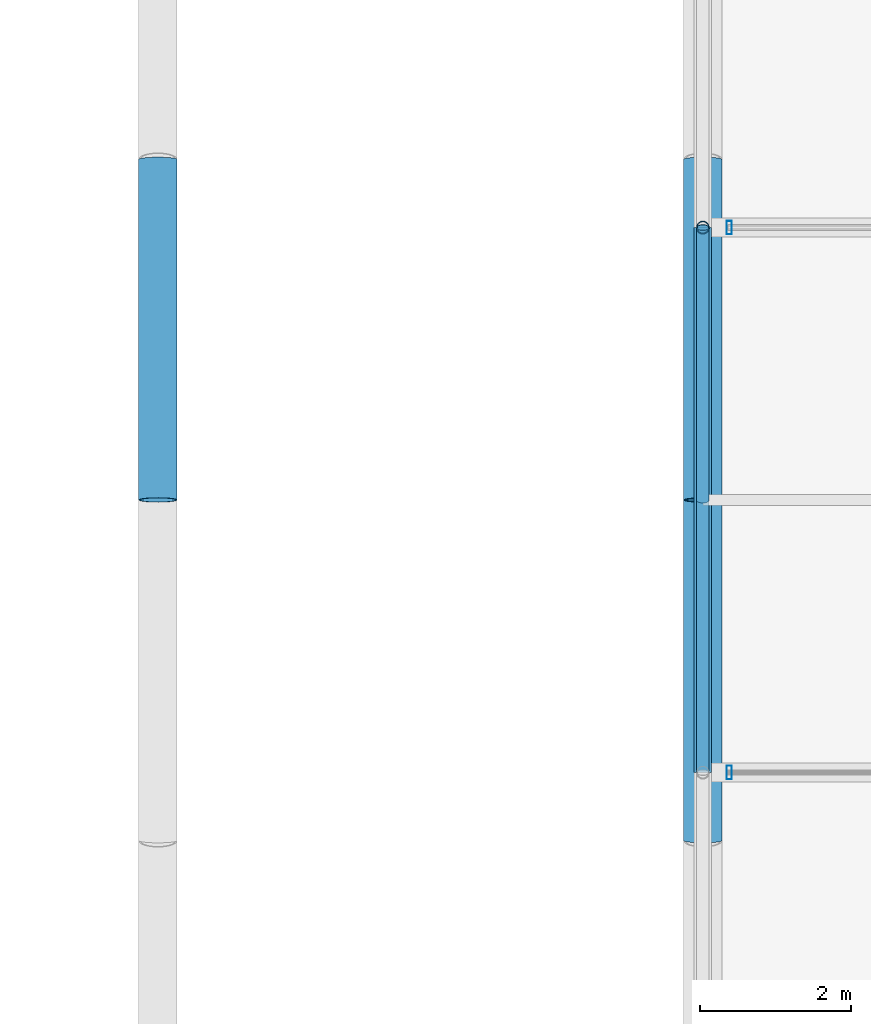
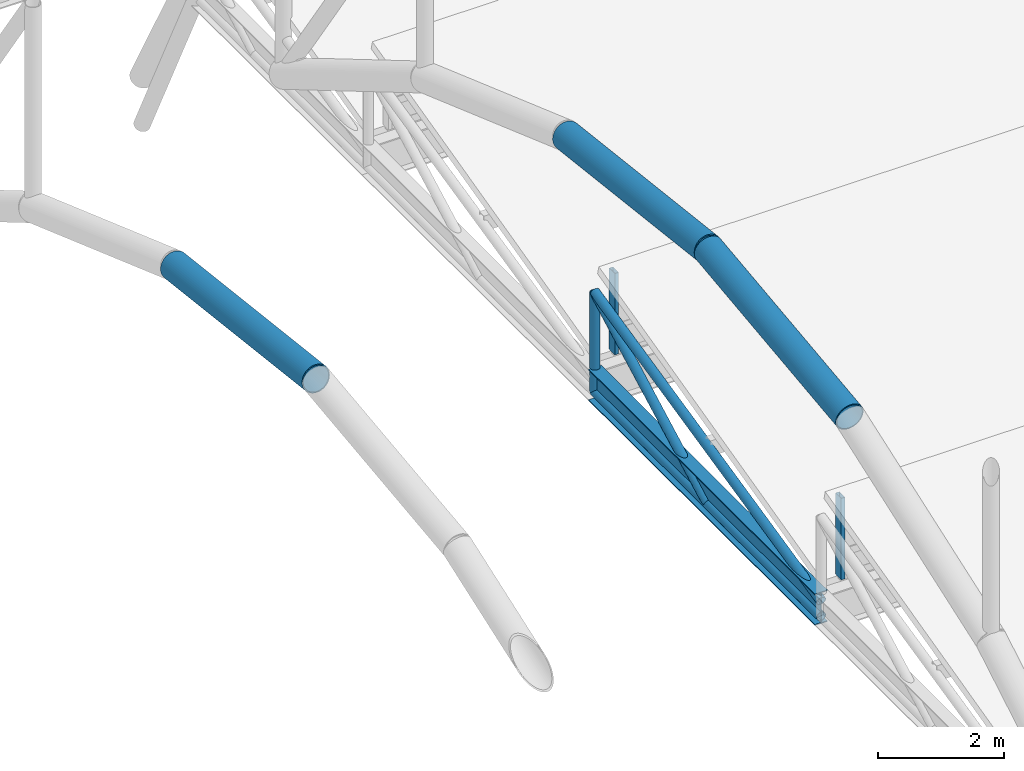
# One storey, part 40 of 144: 9 members, 1 beam, 2 elements without a shape of their own.
"""IFC4 building model written with IfcOpenShell, lengths in metres."""

import ifcopenshell
import ifcopenshell.guid

model = None  # the IFC model being written
_history = None  # IfcOwnerHistory: only IFC2X3 demands one
_inside = {}  # id of a spatial element -> (the spatial element, [elements in it])
_under = {}  # id of a project, library or spatial element -> (it, [spatial elements below it])
_declared = {}  # id of a project -> (the project, [libraries it declares])
_typed = {}  # id of a type object -> (the type object, [elements of that type])
_made_of = {}  # id of a material, layer set ... -> (it, [elements and type objects made of it])


def new_model(schema):
    """Start an empty IFC model of exactly this schema.

    Asked for "IFC4X3", IfcOpenShell would pick the latest addendum, in which some entities
    have other attributes; the version numbers below select the first issue.
    IFC2X3 requires an IfcOwnerHistory on every rooted entity: one is made here for all.
    """
    global model, _history
    if schema == "IFC4X3":
        model = ifcopenshell.file(schema_version=(4, 3, 0, 0))
    else:
        model = ifcopenshell.file(schema=schema)
    _inside.clear()
    _under.clear()
    _declared.clear()
    _typed.clear()
    _made_of.clear()
    _history = None
    if model.schema == "IFC2X3":
        org = make("IfcOrganization", Name="unknown")
        user = make(
            "IfcPersonAndOrganization",
            ThePerson=make("IfcPerson", FamilyName="unknown"),
            TheOrganization=org,
        )
        app = make(
            "IfcApplication",
            ApplicationDeveloper=org,
            Version="unknown",
            ApplicationFullName="unknown",
            ApplicationIdentifier="unknown",
        )
        _history = make(
            "IfcOwnerHistory",
            OwningUser=user,
            OwningApplication=app,
            ChangeAction="ADDED",
            CreationDate=0,
        )
    return model


def make(cls, **values):
    """One entity of the class cls with the attributes given. An attribute that is None is left unset."""
    return model.create_entity(
        cls, **{name: value for name, value in values.items() if value is not None}
    )


def rooted(cls, **values):
    """An entity with a GlobalId (a new one), such as an element, a storey or a relation."""
    return make(cls, GlobalId=ifcopenshell.guid.new(), OwnerHistory=_history, **values)


def si_unit(unit_type, name, prefix=None):
    """IfcSIUnit, for example si_unit("LENGTHUNIT", "METRE", prefix="MILLI")."""
    return make("IfcSIUnit", UnitType=unit_type, Prefix=prefix, Name=name)


def assignment(units):
    """IfcUnitAssignment: the units of a project."""
    return None if units is None else make("IfcUnitAssignment", Units=units)


def point(xyz):
    """IfcCartesianPoint."""
    return None if xyz is None else make("IfcCartesianPoint", Coordinates=xyz)


def direction(xyz):
    """IfcDirection."""
    return None if xyz is None else make("IfcDirection", DirectionRatios=xyz)


def frame(location, z_axis=None, x_axis=None):
    """IfcAxis2Placement3D, a coordinate frame: its origin and axes. An axis left out is left unset."""
    return make(
        "IfcAxis2Placement3D",
        Location=point(location),
        Axis=direction(z_axis),
        RefDirection=direction(x_axis),
    )


def frame_2d(location, x_axis=None):
    """IfcAxis2Placement2D, a coordinate frame in the plane: its origin and x axis."""
    return make(
        "IfcAxis2Placement2D", Location=point(location), RefDirection=direction(x_axis)
    )


def origin():
    """The frame at (0, 0, 0) with its axes left unset."""
    return frame((0.0, 0.0, 0.0))


def origin_2d():
    """The frame at (0, 0) in the plane with its x axis left unset."""
    return frame_2d((0.0, 0.0))


def place(relative_to, where):
    """IfcLocalPlacement: puts the frame where relative to a parent placement (None: the world)."""
    return make(
        "IfcLocalPlacement", PlacementRelTo=relative_to, RelativePlacement=where
    )


def context(
    kind, dimensions, precision=None, world=None, true_north=None, identifier=None
):
    """IfcGeometricRepresentationContext, for example the 3D "Model" context."""
    return make(
        "IfcGeometricRepresentationContext",
        ContextIdentifier=identifier,
        ContextType=kind,
        CoordinateSpaceDimension=dimensions,
        Precision=precision,
        WorldCoordinateSystem=world,
        TrueNorth=true_north,
    )


def subcontext(parent, identifier, kind, view, scale=None):
    """IfcGeometricRepresentationSubContext, for example "Body" below "Model"."""
    return make(
        "IfcGeometricRepresentationSubContext",
        ContextIdentifier=identifier,
        ContextType=kind,
        ParentContext=parent,
        TargetScale=scale,
        TargetView=view,
    )


def project(units=None, contexts=None):
    """IfcProject with its units and contexts."""
    return rooted(
        "IfcProject",
        Name="project",
        RepresentationContexts=contexts,
        UnitsInContext=assignment(units),
    )


def spatial(cls, under=None, at=None, **own):
    """A site, building, storey or space (cls), placed at a placement, below another one or the project."""
    s = rooted(cls, ObjectPlacement=at, **own)
    if under is not None:
        _under.setdefault(under.id(), (under, []))[1].append(s)
    return s


def profile(cls, at=None, kind="AREA", **sizes):
    """A parametric profile (cls). Its sizes go by their IFC names, for example OverallWidth=200.0."""
    return make(cls, ProfileType=kind, Position=at, **sizes)


def hollow_rectangle(**sizes):
    """IfcRectangleHollowProfileDef."""
    return profile("IfcRectangleHollowProfileDef", **sizes)


def hollow_circle(**sizes):
    """IfcCircleHollowProfileDef."""
    return profile("IfcCircleHollowProfileDef", **sizes)


def i_section(**sizes):
    """IfcIShapeProfileDef."""
    return profile("IfcIShapeProfileDef", **sizes)


def extrude(swept, where, along, depth):
    """IfcExtrudedAreaSolid: the profile swept, set in the frame where, extruded along a direction by depth."""
    return make(
        "IfcExtrudedAreaSolid",
        SweptArea=swept,
        Position=where,
        ExtrudedDirection=direction(along),
        Depth=depth,
    )


def shape(context_of_items, identifier, shape_type, items):
    """IfcShapeRepresentation: the items that make up one representation, for example the "Body"."""
    return make(
        "IfcShapeRepresentation",
        ContextOfItems=context_of_items,
        RepresentationIdentifier=identifier,
        RepresentationType=shape_type,
        Items=items,
    )


def material(Name=None, Category=None):
    """IfcMaterial."""
    return make("IfcMaterial", Name=Name, Category=Category)


def material_profile(
    of_material, cross_section, Name=None, Category=None, Priority=None
):
    """IfcMaterialProfile: a cross section and its material."""
    return make(
        "IfcMaterialProfile",
        Name=Name,
        Material=of_material,
        Profile=cross_section,
        Priority=Priority,
        Category=Category,
    )


def profile_set(profiles, Name=None, composite=None):
    """IfcMaterialProfileSet."""
    return make(
        "IfcMaterialProfileSet",
        Name=Name,
        MaterialProfiles=profiles,
        CompositeProfile=composite,
    )


def made_of(thing, what):
    """Note that an element or type object is made of a material, layer set ...; save() writes the relation."""
    if what is not None:
        _made_of.setdefault(what.id(), (what, []))[1].append(thing)
    return thing


def type_object(cls, material=None, **own):
    """A type object (cls), such as IfcWallType, which elements share."""
    return made_of(rooted(cls, **own), material)


def element(
    cls,
    number,
    at=None,
    inside=None,
    cuts=None,
    type_object=None,
    material=None,
    context=None,
    identifier="Body",
    shape_type=None,
    held_by="IfcProductDefinitionShape",
    body=None,
    shapes=None,
    **own,
):
    """One element of the class cls, such as IfcWall. Its Tag is "e" and its number.

    at: its placement. inside: the storey or other place that contains it. cuts: it is an
    opening in that element (IfcRelVoidsElement). A single representation is given by context,
    identifier, shape_type and body (its items); several are given by shapes. held_by: the class
    of the entity that holds the representations. save() writes the other relations.
    """
    e = rooted(cls, Tag="e%d" % number, ObjectPlacement=at, **own)
    if body is not None:
        shapes = [shape(context, identifier, shape_type, body)]
    if shapes is not None:
        e.Representation = make(held_by, Representations=shapes)
    if inside is not None:
        _inside.setdefault(inside.id(), (inside, []))[1].append(e)
    if cuts is not None:
        rooted(
            "IfcRelVoidsElement", RelatingBuildingElement=cuts, RelatedOpeningElement=e
        )
    if type_object is not None:
        _typed.setdefault(type_object.id(), (type_object, []))[1].append(e)
    return made_of(e, material)


def aggregate(whole, parts):
    """IfcRelAggregates: a whole, such as a stair, and the parts it consists of."""
    return rooted("IfcRelAggregates", RelatingObject=whole, RelatedObjects=parts)


def save(model, path):
    """Write the relations noted so far, then the file.

    IfcRelAggregates (storeys below a building ...), IfcRelContainedInSpatialStructure (elements
    in a storey), IfcRelDefinesByType, IfcRelAssociatesMaterial and IfcRelDeclares: one each for
    every whole, place, type object, material and project.
    """
    for whole, parts in _under.values():
        aggregate(whole, parts)
    for where, things in _inside.values():
        rooted(
            "IfcRelContainedInSpatialStructure",
            RelatedElements=things,
            RelatingStructure=where,
        )
    for kind, things in _typed.values():
        rooted("IfcRelDefinesByType", RelatedObjects=things, RelatingType=kind)
    for what, things in _made_of.values():
        rooted("IfcRelAssociatesMaterial", RelatedObjects=things, RelatingMaterial=what)
    for by, libraries in _declared.values():
        rooted("IfcRelDeclares", RelatingContext=by, RelatedDefinitions=libraries)
    model.write(path)


model = new_model("IFC4")

# Units and contexts
model_context = context("Model", 3, precision=1e-05, world=origin(), true_north=direction((0.0, 1.0)))
body_context = subcontext(model_context, "Body", "Model", "MODEL_VIEW")
ifc_project = project(units=[si_unit("LENGTHUNIT", "METRE"), si_unit("AREAUNIT", "SQUARE_METRE"), si_unit("VOLUMEUNIT", "CUBIC_METRE"), si_unit("PLANEANGLEUNIT", "RADIAN"), si_unit("MASSUNIT", "GRAM", prefix="KILO")], contexts=[model_context])

# Site, building, storey
site_placement = place(None, origin())
site = spatial("IfcSite", under=ifc_project, at=site_placement, CompositionType="ELEMENT")
building_placement = place(site_placement, origin())
building = spatial("IfcBuilding", under=site, at=building_placement, Name="Yarey Park Central Fire Station", CompositionType="ELEMENT")
storey_placement = place(building_placement, frame((0.0, 0.0, 10.199951171875)))
storey = spatial("IfcBuildingStorey", under=building, at=storey_placement, Name="L03", CompositionType="ELEMENT", Elevation=10.199951171875)

# Curtain wall, member
ifc_material_1 = material(Name="Anodized Aluminium Frame", Category="aluminium")
curtain_wall_type = type_object("IfcCurtainWallType", Name="ENV_CW_SAW_18", PredefinedType="NOTDEFINED", material=ifc_material_1)
curtain_wall_1_placement = place(storey_placement, origin())
curtain_wall_1 = element("IfcCurtainWall", 1, at=curtain_wall_1_placement, inside=storey, type_object=curtain_wall_type, Name="CW_L03_SAW_4_1", PredefinedType="NOTDEFINED")
ifc_material_profile_1 = material_profile(ifc_material_1, hollow_rectangle(XDim=0.070068359375, YDim=0.179931640625, WallThickness=0.00390625, at=origin_2d()), Name="ALU 180x70x4")
ifc_profile_set_1 = profile_set([ifc_material_profile_1], Name="Anodized Aluminium Frame")
member_type_1 = type_object("IfcMemberType", Name="ENV_CW_MULLION", PredefinedType="MULLION", material=ifc_profile_set_1)
member_1_placement = place(storey_placement, frame((137.14990234375, 72.0, 0.0), z_axis=(0.0, 0.0, 1.0), x_axis=(1.0, 0.0, 0.0)))
member_1 = element("IfcMember", 2, at=member_1_placement, type_object=member_type_1, Name="CW_L03_SAW_4_1_MUL5", PredefinedType="MULLION", context=body_context, shape_type="SweptSolid", body=[
    extrude(hollow_rectangle(XDim=0.070068359375, YDim=0.179931640625, WallThickness=0.00390625, at=origin_2d()), origin(), (0.0, 0.0, 1.0), 1.580078125),
])
aggregate(curtain_wall_1, [member_1])

curtain_wall_2_placement = place(storey_placement, origin())
curtain_wall_2 = element("IfcCurtainWall", 3, at=curtain_wall_2_placement, inside=storey, type_object=curtain_wall_type, Name="CW_L03_SAW_5_1", PredefinedType="NOTDEFINED")
member_2_placement = place(storey_placement, frame((137.14990234375, 79.199951171875, 0.0), z_axis=(0.0, 0.0, 1.0), x_axis=(1.0, 0.0, 0.0)))
member_2 = element("IfcMember", 4, at=member_2_placement, type_object=member_type_1, Name="CW_L03_SAW_5_1_MUL5", PredefinedType="MULLION", context=body_context, shape_type="SweptSolid", body=[
    extrude(hollow_rectangle(XDim=0.070068359375, YDim=0.179931640625, WallThickness=0.00390625, at=origin_2d()), origin(), (0.0, 0.0, 1.0), 1.580078125),
])
aggregate(curtain_wall_2, [member_2])

# Beam
ifc_material_2 = material(Name="Steel ASTM A992 Gr. 50", Category="steel")
ifc_material_profile_2 = material_profile(ifc_material_2, i_section(OverallWidth=0.22900390625, OverallDepth=0.612060546875, WebThickness=0.011962890625, FlangeThickness=0.01953125, at=origin_2d()), Name="W610x125")
ifc_profile_set_2 = profile_set([ifc_material_profile_2], Name="Steel ASTM A992 Gr. 50")
beam_type = type_object("IfcBeamType", Name="STR_BM_W610", PredefinedType="BEAM", material=ifc_profile_set_2)
beam_placement = place(storey_placement, frame((136.800048828125, 72.0, -0.48583984375), z_axis=(0.0, 1.0, 0.0), x_axis=(-1.0, 0.0, 0.0)))
element("IfcBeam", 5, at=beam_placement, inside=storey, type_object=beam_type, Name="BMY L03 X1368 Y720", PredefinedType="BEAM", context=body_context, shape_type="SweptSolid", body=[
    extrude(i_section(OverallWidth=0.22900390625, OverallDepth=0.612060546875, WebThickness=0.011962890625, FlangeThickness=0.01953125, at=origin_2d()), origin(), (0.0, 0.0, 1.0), 7.199951171875),
])

# Members
ifc_material_3 = material(Name="Steel ASTM A500 Gr. C", Category="steel")
ifc_material_profile_3 = material_profile(ifc_material_3, hollow_circle(Radius=0.084228515625, WallThickness=0.008056640625, at=origin_2d()), Name="CHS 168.3x8")
ifc_profile_set_3 = profile_set([ifc_material_profile_3], Name="Steel ASTM A500 Gr. C")
member_type_2 = type_object("IfcMemberType", Name="STR_CHORD_CHS168", PredefinedType="CHORD", material=ifc_profile_set_3)
member_3_placement = place(storey_placement, frame((136.800048828125, 72.0, -0.64990234375), z_axis=(0.0, 1.0, 0.0), x_axis=(-1.0, 0.0, 0.0)))
element("IfcMember", 6, at=member_3_placement, inside=storey, type_object=member_type_2, Name="SAW_T1_B5_BC", PredefinedType="CHORD", context=body_context, shape_type="SweptSolid", body=[
    extrude(hollow_circle(Radius=0.084228515625, WallThickness=0.008056640625, at=origin_2d()), origin(), (0.0, 0.0, 1.0), 7.199951171875),
])
member_4_placement = place(storey_placement, frame((136.800048828125, 72.0, -0.349853515625), z_axis=(0.0, 0.975464150349, 0.220158332533), x_axis=(-1.0, 0.0, 0.0)))
element("IfcMember", 7, at=member_4_placement, inside=storey, type_object=member_type_2, Name="SAW_T1_B5_TC", PredefinedType="CHORD", context=body_context, shape_type="SweptSolid", body=[
    extrude(hollow_circle(Radius=0.084228515625, WallThickness=0.008056640625, at=origin_2d()), origin(), (0.0, 0.0, 1.0), 7.381103515625),
])
ifc_material_profile_4 = material_profile(ifc_material_3, hollow_circle(Radius=0.25390625, WallThickness=0.02001953125, at=origin_2d()), Name="CHS 508x20")
ifc_profile_set_4 = profile_set([ifc_material_profile_4], Name="Steel ASTM A500 Gr. C")
member_type_3 = type_object("IfcMemberType", Name="STR_CHORD_CHS508", PredefinedType="CHORD", material=ifc_profile_set_4)
for number, where, z_axis, x_axis, name in (
    (8, (129.60009765625, 75.60009765625, 4.300048828125), (0.0, 0.993103448276, -0.11724137931), (-1.0, 0.0, 0.0), "Arched Roof Truss ART_11 Bottom Chord 5"),
    (9, (136.800048828125, 71.10009765625, 3.768798828125), (0.0, 0.993103448276, 0.11724137931), (-1.0, 0.0, 0.0), "Arched Roof Truss ART_12 Bottom Chord 4"),
    (10, (136.800048828125, 75.60009765625, 4.300048828125), (0.0, 0.993103448276, -0.11724137931), (-1.0, 0.0, 0.0), "Arched Roof Truss ART_12 Bottom Chord 5"),
):
    element("IfcMember", number, at=place(storey_placement, frame(where, z_axis=z_axis, x_axis=x_axis)), inside=storey, type_object=member_type_3, Name=name, PredefinedType="CHORD", context=body_context, shape_type="SweptSolid", body=[
        extrude(hollow_circle(Radius=0.25390625, WallThickness=0.02001953125, at=origin_2d()), origin(), (0.0, 0.0, 1.0), 4.53125),
    ])
ifc_material_profile_5 = material_profile(ifc_material_3, hollow_circle(Radius=0.084228515625, WallThickness=0.008056640625, at=origin_2d()), Name="CHS 168.3x8")
ifc_profile_set_5 = profile_set([ifc_material_profile_5], Name="Steel ASTM A500 Gr. C")
member_type_4 = type_object("IfcMemberType", Name="STR_WEB_CHS168", PredefinedType="BRACE", material=ifc_profile_set_5)
member_5_placement = place(storey_placement, frame((136.800048828125, 79.199951171875, -0.64990234375), z_axis=(0.0, 0.0, 1.0), x_axis=(1.0, 0.0, 0.0)))
element("IfcMember", 11, at=member_5_placement, inside=storey, type_object=member_type_4, Name="SAW_T1_B5_VT", PredefinedType="BRACE", context=body_context, shape_type="SweptSolid", body=[
    extrude(hollow_circle(Radius=0.084228515625, WallThickness=0.008056640625, at=origin_2d()), origin(), (0.0, 0.0, 1.0), 1.925048828125),
])
member_6_placement = place(storey_placement, frame((136.800048828125, 75.60009765625, -0.64990234375), z_axis=(0.0, 0.8818309127, 0.471565733919), x_axis=(-1.0, 0.0, 0.0)))
element("IfcMember", 12, at=member_6_placement, inside=storey, type_object=member_type_4, Name="SAW_T1_B5_DG", PredefinedType="BRACE", context=body_context, shape_type="SweptSolid", body=[
    extrude(hollow_circle(Radius=0.084228515625, WallThickness=0.008056640625, at=origin_2d()), origin(), (0.0, 0.0, 1.0), 4.082275390625),
])

save(model, "model.ifc")
